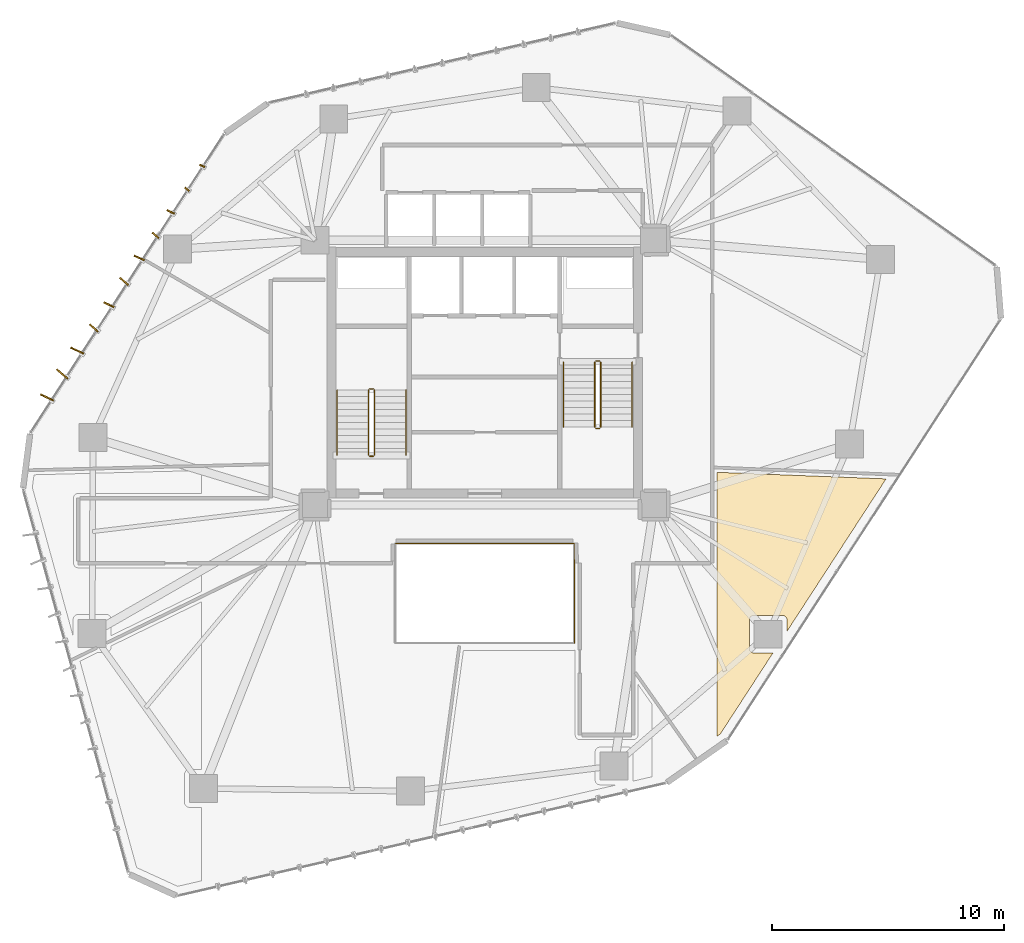
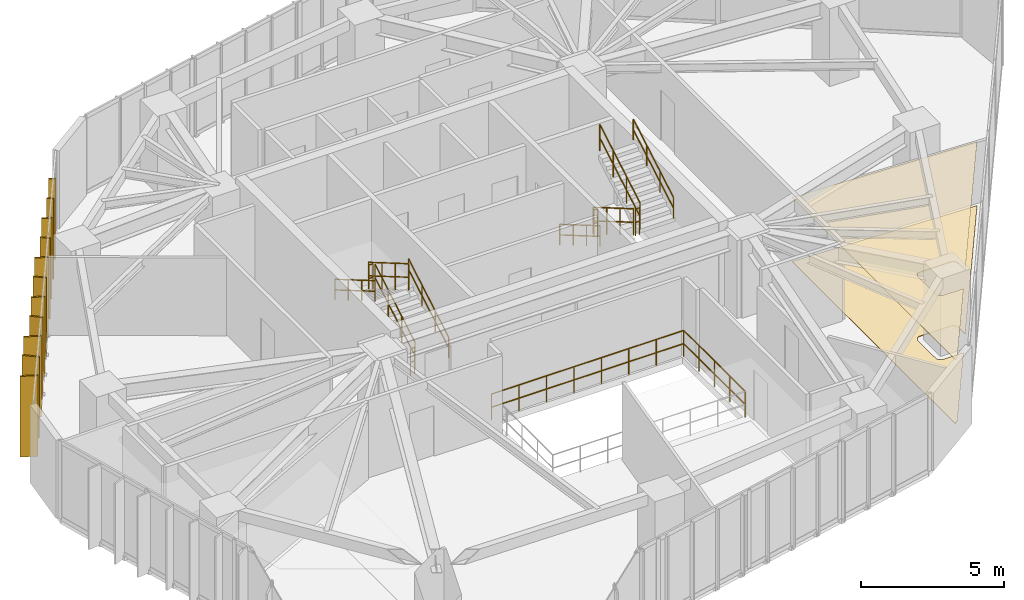
# One storey, part 20 of 21: 14 railings, 11 shading devices, 2 coverings.
"""IFC4 building model written with IfcOpenShell, lengths in metres."""

from ifc_helpers import new_model, si_unit, direction, frame, origin, origin_2d, place, context, subcontext, project, spatial, polyline, rectangle, circle, outline, extrude, source, transform, mapped, material, layer, layer_set, type_object, type_shapes, element, save


model = new_model("IFC4")

# Units and contexts
model_context = context("Model", 3, precision=1e-05, world=origin(), true_north=direction((0.0, 1.0)))
body_context = subcontext(model_context, "Body", "Model", "MODEL_VIEW")
ifc_project = project(units=[si_unit("LENGTHUNIT", "METRE"), si_unit("AREAUNIT", "SQUARE_METRE"), si_unit("VOLUMEUNIT", "CUBIC_METRE"), si_unit("PLANEANGLEUNIT", "RADIAN"), si_unit("MASSUNIT", "GRAM", prefix="KILO")], contexts=[model_context])

# Site, building, storey
site_placement = place(None, origin())
site = spatial("IfcSite", under=ifc_project, at=site_placement, CompositionType="ELEMENT")
building_placement = place(site_placement, origin())
building = spatial("IfcBuilding", under=site, at=building_placement, Name="Talar Marvaseh", CompositionType="ELEMENT")
storey_placement = place(building_placement, frame((0.0, 0.0, 129.0)))
storey = spatial("IfcBuildingStorey", under=building, at=storey_placement, Name="L33", CompositionType="ELEMENT", Elevation=129.0)

# Railings
ifc_material_1 = material(Name="Stainless Steel Grade 316", Category="steel")
railing_type_1 = type_object("IfcRailingType", Name="Brushed Stainless Wall Pitch Handrail 900", PredefinedType="HANDRAIL", material=ifc_material_1)
railing_1_placement = place(storey_placement, frame((22.610107421875, 27.64990234375, 0.16357421875)))
element("IfcRailing", 1, at=railing_1_placement, inside=storey, type_object=railing_type_1, Name="L33 ST-1 stair handrail 1", PredefinedType="HANDRAIL", context=body_context, shape_type="SweptSolid", body=[
    extrude(circle(Radius=0.02392578125, at=origin_2d()), frame((0.0, 0.0, 0.8759765625), z_axis=(0.0, 0.863360870873, 0.504586966384), x_axis=(-1.0, 0.0, 0.0)), (0.0, 0.0, 1.0), 3.2431640625),
    extrude(circle(Radius=0.02392578125, at=origin_2d()), frame((0.0, 0.0, 0.42578125), z_axis=(0.0, 0.863360870873, 0.504586966384), x_axis=(-1.0, 0.0, 0.0)), (0.0, 0.0, 1.0), 3.2431640625),
    extrude(circle(Radius=0.02099609375, at=origin_2d()), origin(), (0.0, 0.0, 1.0), 0.851806640625),
    extrude(circle(Radius=0.02099609375, at=origin_2d()), frame((0.0, 0.933349609375, 0.54541015625)), (0.0, 0.0, 1.0), 0.851806640625),
    extrude(circle(Radius=0.02099609375, at=origin_2d()), frame((0.0, 1.86669921875, 1.091064453125)), (0.0, 0.0, 1.0), 0.851806640625),
    extrude(circle(Radius=0.02099609375, at=origin_2d()), frame((0.0, 2.800048828125, 1.636474609375)), (0.0, 0.0, 1.0), 0.851806640625),
])
railing_2_placement = place(storey_placement, frame((19.64990234375, 30.449951171875, 1.963623046875)))
element("IfcRailing", 2, at=railing_2_placement, inside=storey, type_object=railing_type_1, Name="L33 ST-1 stair handrail 2", PredefinedType="HANDRAIL", context=body_context, shape_type="SweptSolid", body=[
    extrude(circle(Radius=0.02392578125, at=origin_2d()), frame((0.0, 0.0, 0.8759765625), z_axis=(0.0, -0.863360870873, 0.504586966384), x_axis=(1.0, 0.0, 0.0)), (0.0, 0.0, 1.0), 3.2431640625),
    extrude(circle(Radius=0.02392578125, at=origin_2d()), frame((0.0, 0.0, 0.42578125), z_axis=(0.0, -0.863360870873, 0.504586966384), x_axis=(1.0, 0.0, 0.0)), (0.0, 0.0, 1.0), 3.2431640625),
    extrude(circle(Radius=0.02099609375, at=origin_2d()), origin(), (0.0, 0.0, 1.0), 0.851806640625),
    extrude(circle(Radius=0.02099609375, at=origin_2d()), frame((0.0, -0.933349609375, 0.54541015625)), (0.0, 0.0, 1.0), 0.851806640625),
    extrude(circle(Radius=0.02099609375, at=origin_2d()), frame((0.0, -1.86669921875, 1.091064453125)), (0.0, 0.0, 1.0), 0.851806640625),
    extrude(circle(Radius=0.02099609375, at=origin_2d()), frame((0.0, -2.800048828125, 1.636474609375)), (0.0, 0.0, 1.0), 0.851806640625),
])
railing_3_placement = place(storey_placement, frame((29.389892578125, 31.64990234375, 0.16357421875)))
element("IfcRailing", 3, at=railing_3_placement, inside=storey, type_object=railing_type_1, Name="L33 ST-2 stair handrail 1", PredefinedType="HANDRAIL", context=body_context, shape_type="SweptSolid", body=[
    extrude(circle(Radius=0.02392578125, at=origin_2d()), frame((0.0, 0.0, 0.8759765625), z_axis=(0.0, -0.863341702679, 0.504619762213), x_axis=(1.0, 0.0, 0.0)), (0.0, 0.0, 1.0), 3.242919921875),
    extrude(circle(Radius=0.02392578125, at=origin_2d()), frame((0.0, 0.0, 0.42578125), z_axis=(0.0, -0.863341702679, 0.504619762213), x_axis=(1.0, 0.0, 0.0)), (0.0, 0.0, 1.0), 3.242919921875),
    extrude(circle(Radius=0.02099609375, at=origin_2d()), origin(), (0.0, 0.0, 1.0), 0.851806640625),
    extrude(circle(Radius=0.02099609375, at=origin_2d()), frame((0.0, -0.933349609375, 0.54541015625)), (0.0, 0.0, 1.0), 0.851806640625),
    extrude(circle(Radius=0.02099609375, at=origin_2d()), frame((0.0, -1.866455078125, 1.091064453125)), (0.0, 0.0, 1.0), 0.851806640625),
    extrude(circle(Radius=0.02099609375, at=origin_2d()), frame((0.0, -2.7998046875, 1.636474609375)), (0.0, 0.0, 1.0), 0.851806640625),
])
railing_4_placement = place(storey_placement, frame((32.35009765625, 28.85009765625, 1.963623046875)))
element("IfcRailing", 4, at=railing_4_placement, inside=storey, type_object=railing_type_1, Name="L33 ST-2 stair handrail 2", PredefinedType="HANDRAIL", context=body_context, shape_type="SweptSolid", body=[
    extrude(circle(Radius=0.02392578125, at=origin_2d()), frame((0.0, 0.0, 0.8759765625), z_axis=(0.0, 0.863341702679, 0.504619762213), x_axis=(-1.0, 0.0, 0.0)), (0.0, 0.0, 1.0), 3.242919921875),
    extrude(circle(Radius=0.02392578125, at=origin_2d()), frame((0.0, 0.0, 0.42578125), z_axis=(0.0, 0.863341702679, 0.504619762213), x_axis=(-1.0, 0.0, 0.0)), (0.0, 0.0, 1.0), 3.242919921875),
    extrude(circle(Radius=0.02099609375, at=origin_2d()), origin(), (0.0, 0.0, 1.0), 0.851806640625),
    extrude(circle(Radius=0.02099609375, at=origin_2d()), frame((0.0, 0.933349609375, 0.54541015625)), (0.0, 0.0, 1.0), 0.851806640625),
    extrude(circle(Radius=0.02099609375, at=origin_2d()), frame((0.0, 1.866455078125, 1.091064453125)), (0.0, 0.0, 1.0), 0.851806640625),
    extrude(circle(Radius=0.02099609375, at=origin_2d()), frame((0.0, 2.7998046875, 1.636474609375)), (0.0, 0.0, 1.0), 0.851806640625),
])
ifc_material_2 = material(Name="Tempered Clear Glass", Category="glass")
railing_type_2 = type_object("IfcRailingType", Name="Interior Atrium Edge Balustrade 1120", PredefinedType="BALUSTRADE", material=ifc_material_2)
railing_5_placement = place(storey_placement, frame((29.8701171875, 19.561279296875, 0.0)))
element("IfcRailing", 5, at=railing_5_placement, inside=storey, type_object=railing_type_2, Name="L33 Internal Daylight Atrium Balustrade 2", PredefinedType="BALUSTRADE", context=body_context, shape_type="SweptSolid", body=[
    extrude(circle(Radius=0.02392578125, at=origin_2d()), frame((0.0, 0.0, 1.09619140625), z_axis=(0.0, 1.0, 0.0), x_axis=(-1.0, 0.0, 0.0)), (0.0, 0.0, 1.0), 4.27734375),
    extrude(circle(Radius=0.02392578125, at=origin_2d()), frame((0.0, 0.0, 0.5361328125), z_axis=(0.0, 1.0, 0.0), x_axis=(-1.0, 0.0, 0.0)), (0.0, 0.0, 1.0), 4.27734375),
    extrude(circle(Radius=0.02099609375, at=origin_2d()), origin(), (0.0, 0.0, 1.0), 1.072021484375),
    extrude(circle(Radius=0.02099609375, at=origin_2d()), frame((0.0, 1.0693359375, 0.0)), (0.0, 0.0, 1.0), 1.072021484375),
    extrude(circle(Radius=0.02099609375, at=origin_2d()), frame((0.0, 2.138671875, 0.0)), (0.0, 0.0, 1.0), 1.072021484375),
    extrude(circle(Radius=0.02099609375, at=origin_2d()), frame((0.0, 3.2080078125, 0.0)), (0.0, 0.0, 1.0), 1.072021484375),
    extrude(circle(Radius=0.02099609375, at=origin_2d()), frame((0.0, 4.27734375, 0.0)), (0.0, 0.0, 1.0), 1.072021484375),
])
railing_6_placement = place(storey_placement, frame((29.8701171875, 23.838623046875, 0.0)))
element("IfcRailing", 6, at=railing_6_placement, inside=storey, type_object=railing_type_2, Name="L33 Internal Daylight Atrium Balustrade 3", PredefinedType="BALUSTRADE", context=body_context, shape_type="SweptSolid", body=[
    extrude(circle(Radius=0.02392578125, at=origin_2d()), frame((0.0, 0.0, 1.09619140625), z_axis=(-1.0, 0.0, 0.0), x_axis=(0.0, -1.0, 0.0)), (0.0, 0.0, 1.0), 7.740234375),
    extrude(circle(Radius=0.02392578125, at=origin_2d()), frame((0.0, 0.0, 0.5361328125), z_axis=(-1.0, 0.0, 0.0), x_axis=(0.0, -1.0, 0.0)), (0.0, 0.0, 1.0), 7.740234375),
    extrude(circle(Radius=0.02099609375, at=origin_2d()), origin(), (0.0, 0.0, 1.0), 1.072021484375),
    extrude(circle(Radius=0.02099609375, at=origin_2d()), frame((-1.105712890625, 0.0, 0.0)), (0.0, 0.0, 1.0), 1.072021484375),
    extrude(circle(Radius=0.02099609375, at=origin_2d()), frame((-2.21142578125, 0.0, 0.0)), (0.0, 0.0, 1.0), 1.072021484375),
    extrude(circle(Radius=0.02099609375, at=origin_2d()), frame((-3.317138671875, 0.0, 0.0)), (0.0, 0.0, 1.0), 1.072021484375),
    extrude(circle(Radius=0.02099609375, at=origin_2d()), frame((-4.423095703125, 0.0, 0.0)), (0.0, 0.0, 1.0), 1.072021484375),
    extrude(circle(Radius=0.02099609375, at=origin_2d()), frame((-5.52880859375, 0.0, 0.0)), (0.0, 0.0, 1.0), 1.072021484375),
    extrude(circle(Radius=0.02099609375, at=origin_2d()), frame((-6.634521484375, 0.0, 0.0)), (0.0, 0.0, 1.0), 1.072021484375),
    extrude(circle(Radius=0.02099609375, at=origin_2d()), frame((-7.740234375, 0.0, 0.0)), (0.0, 0.0, 1.0), 1.072021484375),
])
railing_type_3 = type_object("IfcRailingType", Name="Painted Steel Core Stair Well Guardrail 1150", PredefinedType="GUARDRAIL", material=ifc_material_1)
railing_7_placement = place(storey_placement, frame((21.260009765625, 27.64990234375, 0.16357421875)))
element("IfcRailing", 7, at=railing_7_placement, inside=storey, type_object=railing_type_3, Name="L33 ST-1 stair guard 1", PredefinedType="GUARDRAIL", context=body_context, shape_type="SweptSolid", body=[
    extrude(circle(Radius=0.02392578125, at=origin_2d()), frame((0.0, 0.0, 1.1259765625), z_axis=(0.0, 0.863360870873, 0.504586966384), x_axis=(-1.0, 0.0, 0.0)), (0.0, 0.0, 1.0), 3.2431640625),
    extrude(circle(Radius=0.02392578125, at=origin_2d()), frame((0.0, 0.0, 0.55078125), z_axis=(0.0, 0.863360870873, 0.504586966384), x_axis=(-1.0, 0.0, 0.0)), (0.0, 0.0, 1.0), 3.2431640625),
    extrude(circle(Radius=0.02099609375, at=origin_2d()), origin(), (0.0, 0.0, 1.0), 1.101806640625),
    extrude(circle(Radius=0.02099609375, at=origin_2d()), frame((0.0, 0.933349609375, 0.54541015625)), (0.0, 0.0, 1.0), 1.101806640625),
    extrude(circle(Radius=0.02099609375, at=origin_2d()), frame((0.0, 1.86669921875, 1.091064453125)), (0.0, 0.0, 1.0), 1.101806640625),
    extrude(circle(Radius=0.02099609375, at=origin_2d()), frame((0.0, 2.800048828125, 1.636474609375)), (0.0, 0.0, 1.0), 1.101806640625),
])
railing_8_placement = place(storey_placement, frame((21.2099609375, 30.5, 1.800048828125)))
element("IfcRailing", 8, at=railing_8_placement, inside=storey, type_object=railing_type_3, Name="L33 ST-1 stair guard 2", PredefinedType="GUARDRAIL", context=body_context, shape_type="SweptSolid", body=[
    extrude(circle(Radius=0.02392578125, at=origin_2d()), frame((0.0, 0.0, 1.1259765625), z_axis=(-1.0, 0.0, 0.0), x_axis=(0.0, -1.0, 0.0)), (0.0, 0.0, 1.0), 0.159912109375),
    extrude(circle(Radius=0.02392578125, at=origin_2d()), frame((0.0, 0.0, 0.55078125), z_axis=(-1.0, 0.0, 0.0), x_axis=(0.0, -1.0, 0.0)), (0.0, 0.0, 1.0), 0.159912109375),
    extrude(circle(Radius=0.02099609375, at=origin_2d()), origin(), (0.0, 0.0, 1.0), 1.101806640625),
    extrude(circle(Radius=0.02099609375, at=origin_2d()), frame((-0.159912109375, 0.0, 0.0)), (0.0, 0.0, 1.0), 1.101806640625),
])
railing_9_placement = place(storey_placement, frame((21.0, 30.449951171875, 1.963623046875)))
element("IfcRailing", 9, at=railing_9_placement, inside=storey, type_object=railing_type_3, Name="L33 ST-1 stair guard 3", PredefinedType="GUARDRAIL", context=body_context, shape_type="SweptSolid", body=[
    extrude(circle(Radius=0.02392578125, at=origin_2d()), frame((0.0, 0.0, 1.1259765625), z_axis=(0.0, -0.863360870873, 0.504586966384), x_axis=(1.0, 0.0, 0.0)), (0.0, 0.0, 1.0), 3.2431640625),
    extrude(circle(Radius=0.02392578125, at=origin_2d()), frame((0.0, 0.0, 0.55078125), z_axis=(0.0, -0.863360870873, 0.504586966384), x_axis=(1.0, 0.0, 0.0)), (0.0, 0.0, 1.0), 3.2431640625),
    extrude(circle(Radius=0.02099609375, at=origin_2d()), origin(), (0.0, 0.0, 1.0), 1.101806640625),
    extrude(circle(Radius=0.02099609375, at=origin_2d()), frame((0.0, -0.933349609375, 0.54541015625)), (0.0, 0.0, 1.0), 1.101806640625),
    extrude(circle(Radius=0.02099609375, at=origin_2d()), frame((0.0, -1.86669921875, 1.091064453125)), (0.0, 0.0, 1.0), 1.101806640625),
    extrude(circle(Radius=0.02099609375, at=origin_2d()), frame((0.0, -2.800048828125, 1.636474609375)), (0.0, 0.0, 1.0), 1.101806640625),
])
railing_10_placement = place(storey_placement, frame((21.2099609375, 27.60009765625, 0.0)))
element("IfcRailing", 10, at=railing_10_placement, inside=storey, type_object=railing_type_3, Name="L33 ST-1 stair guard 4", PredefinedType="GUARDRAIL", context=body_context, shape_type="SweptSolid", body=[
    extrude(circle(Radius=0.02392578125, at=origin_2d()), frame((0.0, 0.0, 1.1259765625), z_axis=(-1.0, 0.0, 0.0), x_axis=(0.0, -1.0, 0.0)), (0.0, 0.0, 1.0), 0.159912109375),
    extrude(circle(Radius=0.02392578125, at=origin_2d()), frame((0.0, 0.0, 0.55078125), z_axis=(-1.0, 0.0, 0.0), x_axis=(0.0, -1.0, 0.0)), (0.0, 0.0, 1.0), 0.159912109375),
    extrude(circle(Radius=0.02099609375, at=origin_2d()), origin(), (0.0, 0.0, 1.0), 1.101806640625),
    extrude(circle(Radius=0.02099609375, at=origin_2d()), frame((-0.159912109375, 0.0, 0.0)), (0.0, 0.0, 1.0), 1.101806640625),
])
railing_11_placement = place(storey_placement, frame((30.739990234375, 31.64990234375, 0.16357421875)))
element("IfcRailing", 11, at=railing_11_placement, inside=storey, type_object=railing_type_3, Name="L33 ST-2 stair guard 1", PredefinedType="GUARDRAIL", context=body_context, shape_type="SweptSolid", body=[
    extrude(circle(Radius=0.02392578125, at=origin_2d()), frame((0.0, 0.0, 1.1259765625), z_axis=(0.0, -0.863341702679, 0.504619762213), x_axis=(1.0, 0.0, 0.0)), (0.0, 0.0, 1.0), 3.242919921875),
    extrude(circle(Radius=0.02392578125, at=origin_2d()), frame((0.0, 0.0, 0.55078125), z_axis=(0.0, -0.863341702679, 0.504619762213), x_axis=(1.0, 0.0, 0.0)), (0.0, 0.0, 1.0), 3.242919921875),
    extrude(circle(Radius=0.02099609375, at=origin_2d()), origin(), (0.0, 0.0, 1.0), 1.101806640625),
    extrude(circle(Radius=0.02099609375, at=origin_2d()), frame((0.0, -0.933349609375, 0.54541015625)), (0.0, 0.0, 1.0), 1.101806640625),
    extrude(circle(Radius=0.02099609375, at=origin_2d()), frame((0.0, -1.866455078125, 1.091064453125)), (0.0, 0.0, 1.0), 1.101806640625),
    extrude(circle(Radius=0.02099609375, at=origin_2d()), frame((0.0, -2.7998046875, 1.636474609375)), (0.0, 0.0, 1.0), 1.101806640625),
])
railing_12_placement = place(storey_placement, frame((30.7900390625, 28.800048828125, 1.800048828125)))
element("IfcRailing", 12, at=railing_12_placement, inside=storey, type_object=railing_type_3, Name="L33 ST-2 stair guard 2", PredefinedType="GUARDRAIL", context=body_context, shape_type="SweptSolid", body=[
    extrude(circle(Radius=0.02392578125, at=origin_2d()), frame((0.0, 0.0, 1.1259765625), z_axis=(1.0, 0.0, 0.0), x_axis=(0.0, 1.0, 0.0)), (0.0, 0.0, 1.0), 0.159912109375),
    extrude(circle(Radius=0.02392578125, at=origin_2d()), frame((0.0, 0.0, 0.55078125), z_axis=(1.0, 0.0, 0.0), x_axis=(0.0, 1.0, 0.0)), (0.0, 0.0, 1.0), 0.159912109375),
    extrude(circle(Radius=0.02099609375, at=origin_2d()), origin(), (0.0, 0.0, 1.0), 1.101806640625),
    extrude(circle(Radius=0.02099609375, at=origin_2d()), frame((0.159912109375, 0.0, 0.0)), (0.0, 0.0, 1.0), 1.101806640625),
])
railing_13_placement = place(storey_placement, frame((31.0, 28.85009765625, 1.963623046875)))
element("IfcRailing", 13, at=railing_13_placement, inside=storey, type_object=railing_type_3, Name="L33 ST-2 stair guard 3", PredefinedType="GUARDRAIL", context=body_context, shape_type="SweptSolid", body=[
    extrude(circle(Radius=0.02392578125, at=origin_2d()), frame((0.0, 0.0, 1.1259765625), z_axis=(0.0, 0.863341702679, 0.504619762213), x_axis=(-1.0, 0.0, 0.0)), (0.0, 0.0, 1.0), 3.242919921875),
    extrude(circle(Radius=0.02392578125, at=origin_2d()), frame((0.0, 0.0, 0.55078125), z_axis=(0.0, 0.863341702679, 0.504619762213), x_axis=(-1.0, 0.0, 0.0)), (0.0, 0.0, 1.0), 3.242919921875),
    extrude(circle(Radius=0.02099609375, at=origin_2d()), origin(), (0.0, 0.0, 1.0), 1.101806640625),
    extrude(circle(Radius=0.02099609375, at=origin_2d()), frame((0.0, 0.933349609375, 0.54541015625)), (0.0, 0.0, 1.0), 1.101806640625),
    extrude(circle(Radius=0.02099609375, at=origin_2d()), frame((0.0, 1.866455078125, 1.091064453125)), (0.0, 0.0, 1.0), 1.101806640625),
    extrude(circle(Radius=0.02099609375, at=origin_2d()), frame((0.0, 2.7998046875, 1.636474609375)), (0.0, 0.0, 1.0), 1.101806640625),
])
railing_14_placement = place(storey_placement, frame((30.7900390625, 31.699951171875, 0.0)))
element("IfcRailing", 14, at=railing_14_placement, inside=storey, type_object=railing_type_3, Name="L33 ST-2 stair guard 4", PredefinedType="GUARDRAIL", context=body_context, shape_type="SweptSolid", body=[
    extrude(circle(Radius=0.02392578125, at=origin_2d()), frame((0.0, 0.0, 1.1259765625), z_axis=(1.0, 0.0, 0.0), x_axis=(0.0, 1.0, 0.0)), (0.0, 0.0, 1.0), 0.159912109375),
    extrude(circle(Radius=0.02392578125, at=origin_2d()), frame((0.0, 0.0, 0.55078125), z_axis=(1.0, 0.0, 0.0), x_axis=(0.0, 1.0, 0.0)), (0.0, 0.0, 1.0), 0.159912109375),
    extrude(circle(Radius=0.02099609375, at=origin_2d()), origin(), (0.0, 0.0, 1.0), 1.101806640625),
    extrude(circle(Radius=0.02099609375, at=origin_2d()), frame((0.159912109375, 0.0, 0.0)), (0.0, 0.0, 1.0), 1.101806640625),
])

# Coverings
ifc_material_3 = material(Name="Mineral Fibre Acoustic Ceiling")
ifc_layer_1 = layer(ifc_material_3, 0.02490234375)
ifc_layer_set_1 = layer_set([ifc_layer_1], Name="Mineral Fibre Acoustic Ceiling")
covering_type_1 = type_object("IfcCoveringType", Name="Perforated Mineral Fibre Acoustic Suspended Ceiling", PredefinedType="CEILING", material=ifc_layer_set_1)
covering_1_placement = place(storey_placement, frame((0.0, 0.0, 2.719970703125)))
element("IfcCovering", 15, at=covering_1_placement, inside=storey, type_object=covering_type_1, Name="L33 Archival Research Office Acoustic Ceiling", PredefinedType="CEILING", context=body_context, shape_type="SweptSolid", body=[
    extrude(outline(polyline([(39.0126953125, 20.59130859375), (39.0078125, 20.610107421875), (39.001220703125, 20.628662109375), (38.99267578125, 20.646240234375), (38.982666015625, 20.6630859375), (38.970947265625, 20.6787109375), (38.957763671875, 20.693359375), (38.943115234375, 20.706298828125), (38.927490234375, 20.718017578125), (38.91064453125, 20.72802734375), (38.89306640625, 20.736328125), (38.87451171875, 20.742919921875), (38.85546875, 20.747802734375), (38.836181640625, 20.75048828125), (38.816650390625, 20.751708984375), (37.595458984375, 20.751708984375), (37.57568359375, 20.75048828125), (37.556396484375, 20.747802734375), (37.537353515625, 20.742919921875), (37.518798828125, 20.736328125), (37.501220703125, 20.72802734375), (37.484375, 20.718017578125), (37.468505859375, 20.706298828125), (37.4541015625, 20.693115234375), (37.44091796875, 20.678466796875), (37.42919921875, 20.66259765625), (37.4189453125, 20.64599609375), (37.41064453125, 20.628173828125), (37.404052734375, 20.609619140625), (37.399169921875, 20.590576171875), (37.396484375, 20.5712890625), (37.3955078125, 20.551513671875), (37.3955078125, 19.330322265625), (37.396484375, 19.310791015625), (37.399169921875, 19.29150390625), (37.404052734375, 19.2724609375), (37.41064453125, 19.25390625), (37.4189453125, 19.236328125), (37.428955078125, 19.219482421875), (37.440673828125, 19.203857421875), (37.45361328125, 19.189208984375), (37.46826171875, 19.176025390625), (37.48388671875, 19.164306640625), (37.500732421875, 19.154296875), (37.518310546875, 19.145751953125), (37.536865234375, 19.13916015625), (37.5556640625, 19.134521484375), (37.5751953125, 19.13134765625), (37.5947265625, 19.13037109375), (38.408447265625, 19.12744140625), (36.146240234375, 15.64501953125), (36.0, 15.542724609375), (36.0, 23.0), (36.0, 26.910400390625), (43.2802734375, 26.626708984375), (39.018310546875, 20.066650390625), (39.0166015625, 20.552490234375), (39.015625, 20.572021484375), (39.0126953125, 20.59130859375)])), origin(), (0.0, 0.0, 1.0), 0.025146484375),
])
ifc_material_4 = material(Name="Porcelain Stoneware Tile", Category="masonry")
ifc_layer_2 = layer(ifc_material_4, 0.02001953125)
ifc_layer_set_2 = layer_set([ifc_layer_2], Name="Porcelain Stoneware Tile")
covering_type_2 = type_object("IfcCoveringType", Name="Polished Porcelain Stoneware Gallery Flooring", PredefinedType="FLOORING", material=ifc_layer_set_2)
covering_2_placement = place(storey_placement, origin())
element("IfcCovering", 16, at=covering_2_placement, inside=storey, type_object=covering_type_2, Name="L33 Archival Research Office Flooring", PredefinedType="FLOORING", context=body_context, shape_type="SweptSolid", body=[
    extrude(outline(polyline([(39.0126953125, 20.59130859375), (39.0078125, 20.610107421875), (39.001220703125, 20.628662109375), (38.99267578125, 20.646240234375), (38.982666015625, 20.6630859375), (38.970947265625, 20.6787109375), (38.957763671875, 20.693359375), (38.943115234375, 20.706298828125), (38.927490234375, 20.718017578125), (38.91064453125, 20.72802734375), (38.89306640625, 20.736328125), (38.87451171875, 20.742919921875), (38.85546875, 20.747802734375), (38.836181640625, 20.75048828125), (38.816650390625, 20.751708984375), (37.595458984375, 20.751708984375), (37.57568359375, 20.75048828125), (37.556396484375, 20.747802734375), (37.537353515625, 20.742919921875), (37.518798828125, 20.736328125), (37.501220703125, 20.72802734375), (37.484375, 20.718017578125), (37.468505859375, 20.706298828125), (37.4541015625, 20.693115234375), (37.44091796875, 20.678466796875), (37.42919921875, 20.66259765625), (37.4189453125, 20.64599609375), (37.41064453125, 20.628173828125), (37.404052734375, 20.609619140625), (37.399169921875, 20.590576171875), (37.396484375, 20.5712890625), (37.3955078125, 20.551513671875), (37.3955078125, 19.330322265625), (37.396484375, 19.310791015625), (37.399169921875, 19.29150390625), (37.404052734375, 19.2724609375), (37.41064453125, 19.25390625), (37.4189453125, 19.236328125), (37.428955078125, 19.219482421875), (37.440673828125, 19.203857421875), (37.45361328125, 19.189208984375), (37.46826171875, 19.176025390625), (37.48388671875, 19.164306640625), (37.500732421875, 19.154296875), (37.518310546875, 19.145751953125), (37.536865234375, 19.13916015625), (37.5556640625, 19.134521484375), (37.5751953125, 19.13134765625), (37.5947265625, 19.13037109375), (38.408447265625, 19.12744140625), (36.146240234375, 15.64501953125), (36.0, 15.542724609375), (36.0, 23.0), (36.0, 26.910400390625), (43.2802734375, 26.626708984375), (39.018310546875, 20.066650390625), (39.0166015625, 20.552490234375), (39.015625, 20.572021484375), (39.0126953125, 20.59130859375)])), origin(), (0.0, 0.0, 1.0), 0.02001953125),
])

# Shading devices
ifc_material_5 = material(Name="Anodised Champagne Bronze Aluminium", Category="aluminium")
ifc_layer_3 = layer(ifc_material_5, 0.06494140625)
ifc_layer_set_3 = layer_set([ifc_layer_3], Name="Anodised Champagne Bronze Aluminium")
shading_device_type_1 = type_object("IfcShadingDeviceType", Name="Sawtooth Champagne Bronze Vertical Fin 240", PredefinedType="USERDEFINED", material=ifc_layer_set_3)
shared_shape_1 = source(origin(), body_context, "Body", "SweptSolid", [
    extrude(rectangle(XDim=0.239990234375, YDim=0.06494140625, at=origin_2d()), origin(), (0.0, 0.0, 1.0), 3.429931640625),
])
type_shapes(shading_device_type_1, [shared_shape_1])
for number, where, z_axis, x_axis, name in (
    (17, (13.1875, 39.0947265625, -0.1201171875), (0.0, 0.0, 1.0), (-0.755510544084, 0.6551364879, 0.0), "L33 Sawtooth Vertical Solar Fin"),
    (18, (13.83984375, 40.10205078125, -0.1201171875), (0.0, 0.0, 1.0), (-0.90682343613, 0.421510682766, 0.0), "L33 Sawtooth Vertical Solar Fin"),
):
    element("IfcShadingDevice", number, at=place(storey_placement, frame(where, z_axis=z_axis, x_axis=x_axis)), inside=storey, type_object=shading_device_type_1, Name=name, ObjectType="FIN", PredefinedType="USERDEFINED", context=body_context, shape_type="MappedRepresentation", body=[
        mapped(shared_shape_1, transform((0.0, 0.0, 0.0), x_axis=(1.0, 0.0, 0.0), y_axis=(0.0, 1.0, 0.0), z_axis=(0.0, 0.0, 1.0), scale=1.0)),
    ])
ifc_layer_4 = layer(ifc_material_5, 0.06494140625)
ifc_layer_set_4 = layer_set([ifc_layer_4], Name="Anodised Champagne Bronze Aluminium")
shading_device_type_2 = type_object("IfcShadingDeviceType", Name="Sawtooth Champagne Bronze Vertical Fin 360", PredefinedType="USERDEFINED", material=ifc_layer_set_4)
shared_shape_2 = source(origin(), body_context, "Body", "SweptSolid", [
    extrude(rectangle(XDim=0.360107421875, YDim=0.06494140625, at=origin_2d()), origin(), (0.0, 0.0, 1.0), 3.429931640625),
])
type_shapes(shading_device_type_2, [shared_shape_2])
for number, where, z_axis, x_axis, name in (
    (19, (11.83251953125, 37.113037109375, -0.1201171875), (0.0, 0.0, 1.0), (-0.755510544084, 0.6551364879, 0.0), "L33 Sawtooth Vertical Solar Fin"),
    (20, (12.484619140625, 38.1201171875, -0.1201171875), (0.0, 0.0, 1.0), (-0.90682343613, 0.421510682766, 0.0), "L33 Sawtooth Vertical Solar Fin"),
):
    element("IfcShadingDevice", number, at=place(storey_placement, frame(where, z_axis=z_axis, x_axis=x_axis)), inside=storey, type_object=shading_device_type_2, Name=name, ObjectType="FIN", PredefinedType="USERDEFINED", context=body_context, shape_type="MappedRepresentation", body=[
        mapped(shared_shape_2, transform((0.0, 0.0, 0.0), x_axis=(1.0, 0.0, 0.0), y_axis=(0.0, 1.0, 0.0), z_axis=(0.0, 0.0, 1.0), scale=1.0)),
    ])
ifc_layer_5 = layer(ifc_material_5, 0.06494140625)
ifc_layer_set_5 = layer_set([ifc_layer_5], Name="Anodised Champagne Bronze Aluminium")
shading_device_type_3 = type_object("IfcShadingDeviceType", Name="Sawtooth Champagne Bronze Vertical Fin 480", PredefinedType="USERDEFINED", material=ifc_layer_set_5)
shared_shape_3 = source(origin(), body_context, "Body", "SweptSolid", [
    extrude(rectangle(XDim=0.47998046875, YDim=0.06494140625, at=origin_2d()), origin(), (0.0, 0.0, 1.0), 3.429931640625),
])
type_shapes(shading_device_type_3, [shared_shape_3])
for number, where, z_axis, x_axis, name in (
    (21, (9.172607421875, 33.116943359375, -0.1201171875), (0.0, 0.0, 1.0), (-0.755510544084, 0.6551364879, 0.0), "L33 Sawtooth Vertical Solar Fin"),
    (22, (9.824951171875, 34.1240234375, -0.1201171875), (0.0, 0.0, 1.0), (-0.90682343613, 0.421510682766, 0.0), "L33 Sawtooth Vertical Solar Fin"),
    (23, (10.477294921875, 35.13134765625, -0.1201171875), (0.0, 0.0, 1.0), (-0.755510544084, 0.6551364879, 0.0), "L33 Sawtooth Vertical Solar Fin"),
    (24, (11.129638671875, 36.138427734375, -0.1201171875), (0.0, 0.0, 1.0), (-0.90682343613, 0.421510682766, 0.0), "L33 Sawtooth Vertical Solar Fin"),
):
    element("IfcShadingDevice", number, at=place(storey_placement, frame(where, z_axis=z_axis, x_axis=x_axis)), inside=storey, type_object=shading_device_type_3, Name=name, ObjectType="FIN", PredefinedType="USERDEFINED", context=body_context, shape_type="MappedRepresentation", body=[
        mapped(shared_shape_3, transform((0.0, 0.0, 0.0), x_axis=(1.0, 0.0, 0.0), y_axis=(0.0, 1.0, 0.0), z_axis=(0.0, 0.0, 1.0), scale=1.0)),
    ])
ifc_layer_6 = layer(ifc_material_5, 0.06494140625)
ifc_layer_set_6 = layer_set([ifc_layer_6], Name="Anodised Champagne Bronze Aluminium")
shading_device_type_4 = type_object("IfcShadingDeviceType", Name="Sawtooth Champagne Bronze Vertical Fin 620", PredefinedType="USERDEFINED", material=ifc_layer_set_6)
shared_shape_4 = source(origin(), body_context, "Body", "SweptSolid", [
    extrude(rectangle(XDim=0.6201171875, YDim=0.06494140625, at=origin_2d()), origin(), (0.0, 0.0, 1.0), 3.429931640625),
])
type_shapes(shading_device_type_4, [shared_shape_4])
for number, where, z_axis, x_axis, name in (
    (25, (7.156494140625, 30.133544921875, -0.1201171875), (0.0, 0.0, 1.0), (-0.90682343613, 0.421510682766, 0.0), "L33 Sawtooth Vertical Solar Fin"),
    (26, (7.80908203125, 31.140625, -0.1201171875), (0.0, 0.0, 1.0), (-0.755510544084, 0.6551364879, 0.0), "L33 Sawtooth Vertical Solar Fin"),
    (27, (8.46142578125, 32.147705078125, -0.1201171875), (0.0, 0.0, 1.0), (-0.90682343613, 0.421510682766, 0.0), "L33 Sawtooth Vertical Solar Fin"),
):
    element("IfcShadingDevice", number, at=place(storey_placement, frame(where, z_axis=z_axis, x_axis=x_axis)), inside=storey, type_object=shading_device_type_4, Name=name, ObjectType="FIN", PredefinedType="USERDEFINED", context=body_context, shape_type="MappedRepresentation", body=[
        mapped(shared_shape_4, transform((0.0, 0.0, 0.0), x_axis=(1.0, 0.0, 0.0), y_axis=(0.0, 1.0, 0.0), z_axis=(0.0, 0.0, 1.0), scale=1.0)),
    ])

save(model, "model.ifc")
